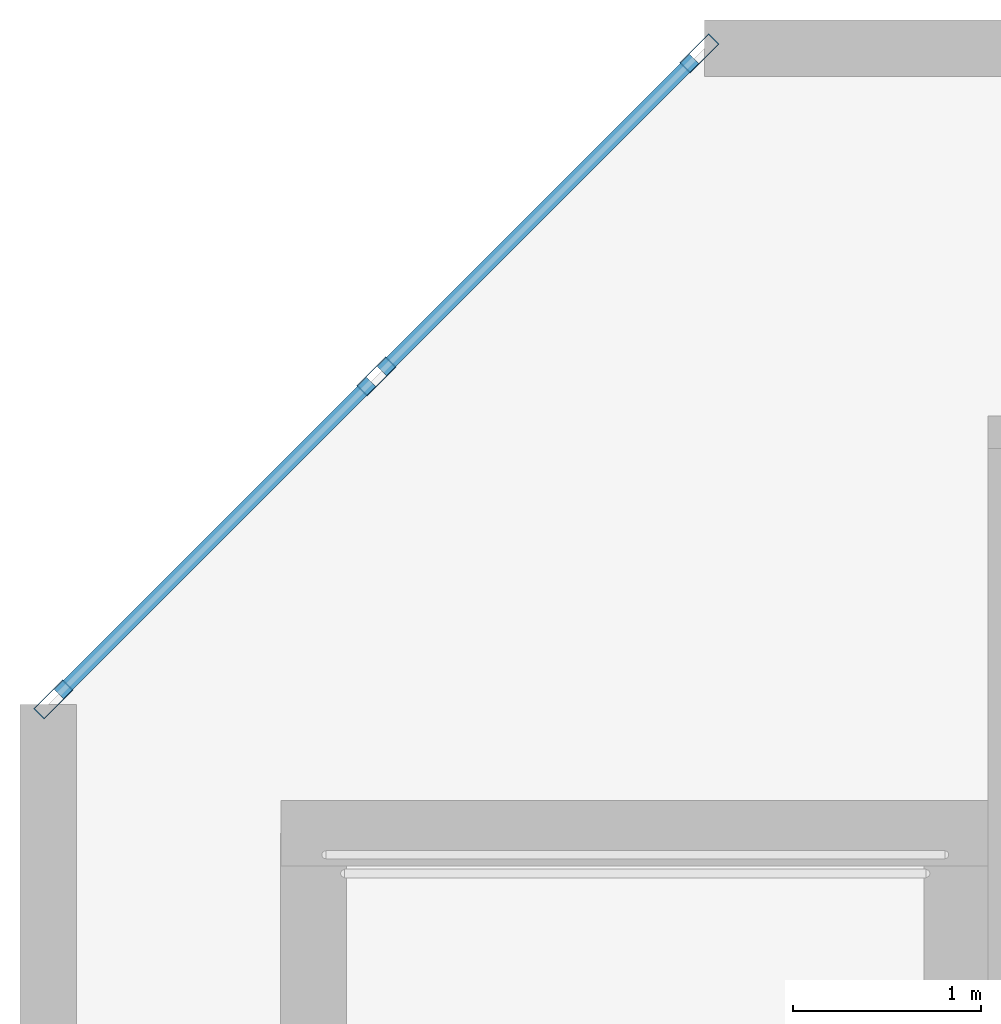
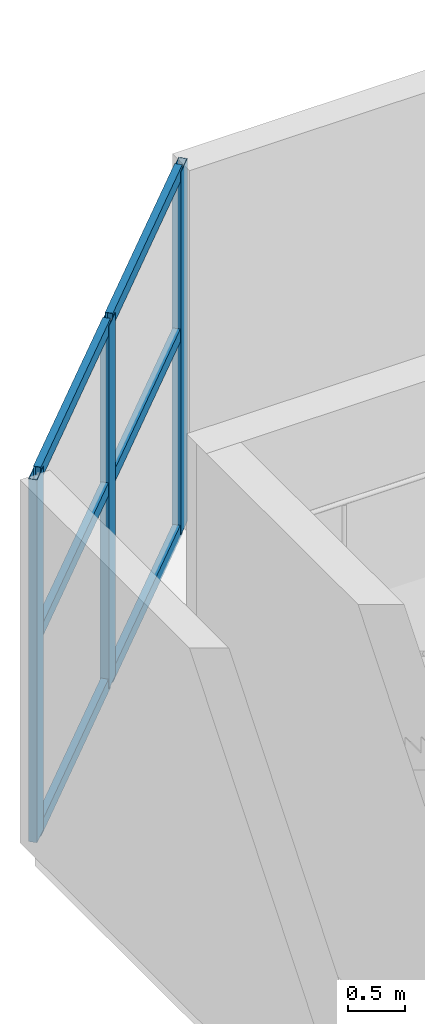
# One storey, part 5 of 20: 9 members, 1 element without a shape of its own.
"""IFC4 building model written with IfcOpenShell, lengths in metres."""

from ifc_helpers import new_model, si_unit, direction, frame, origin, origin_2d, place, context, subcontext, project, spatial, hollow_rectangle, extrude, material, layer, layer_set, material_profile, profile_set, type_object, element, aggregate, save


model = new_model("IFC4")

# Units and contexts
model_context = context("Model", 3, precision=1e-05, world=origin(), true_north=direction((0.0, 1.0)))
body_context = subcontext(model_context, "Body", "Model", "MODEL_VIEW")
ifc_project = project(units=[si_unit("LENGTHUNIT", "METRE"), si_unit("AREAUNIT", "SQUARE_METRE"), si_unit("VOLUMEUNIT", "CUBIC_METRE"), si_unit("PLANEANGLEUNIT", "RADIAN"), si_unit("MASSUNIT", "GRAM", prefix="KILO")], contexts=[model_context])

# Site, building, storey
site_placement = place(None, origin())
site = spatial("IfcSite", under=ifc_project, at=site_placement, CompositionType="ELEMENT")
building_placement = place(site_placement, origin())
building = spatial("IfcBuilding", under=site, at=building_placement, Name="Cununo Teusaquillo Station Towers", CompositionType="ELEMENT")
storey_placement = place(building_placement, frame((0.0, 0.0, 9.0)))
storey = spatial("IfcBuildingStorey", under=building, at=storey_placement, Name="L02", CompositionType="ELEMENT", Elevation=9.0)

# Curtain wall, members
ifc_material_1 = material(Name="Ceramic-fritted dark low-E double glazing", Category="glass")
ifc_layer = layer(ifc_material_1, 0.179931640625)
ifc_layer_set = layer_set([ifc_layer], Name="Ceramic-fritted dark low-E double glazing")
curtain_wall_type = type_object("IfcCurtainWallType", Name="CW-SYS-01", PredefinedType="USERDEFINED", material=ifc_layer_set)
curtain_wall_placement = place(storey_placement, origin())
curtain_wall = element("IfcCurtainWall", 1, at=curtain_wall_placement, inside=storey, type_object=curtain_wall_type, Name="L02 Station Podium Corner Curtain Wall 2", ObjectType="FRITTED GLAZING", PredefinedType="USERDEFINED")
ifc_material_2 = material(Name="Anodised dark bronze aluminium EN AW-6063-T6", Category="aluminium")
ifc_material_profile_1 = material_profile(ifc_material_2, hollow_rectangle(XDim=0.080078125, YDim=0.219970703125, WallThickness=0.0048828125, at=origin_2d()), Name="CW-MULL-80x220")
ifc_profile_set_1 = profile_set([ifc_material_profile_1], Name="Anodised dark bronze aluminium EN AW-6063-T6")
member_type_1 = type_object("IfcMemberType", Name="CWM-220", PredefinedType="MULLION", material=ifc_profile_set_1)
member_1_placement = place(storey_placement, frame((0.328369140625, 44.5283203125, 0.0), z_axis=(0.0, 0.0, 1.0), x_axis=(-0.707106781187, 0.707106781187, 0.0)))
member_1 = element("IfcMember", 2, at=member_1_placement, type_object=member_type_1, Name="CW-01 mullion 1", PredefinedType="MULLION", context=body_context, shape_type="SweptSolid", body=[
    extrude(hollow_rectangle(XDim=0.080078125, YDim=0.219970703125, WallThickness=0.0048828125, at=origin_2d()), origin(), (0.0, 0.0, 1.0), 3.885009765625),
])
member_2_placement = place(storey_placement, frame((2.050048828125, 46.25, 0.0), z_axis=(0.0, 0.0, 1.0), x_axis=(-0.707106781187, 0.707106781187, 0.0)))
member_2 = element("IfcMember", 3, at=member_2_placement, type_object=member_type_1, Name="CW-01 mullion 2", PredefinedType="MULLION", context=body_context, shape_type="SweptSolid", body=[
    extrude(hollow_rectangle(XDim=0.080078125, YDim=0.219970703125, WallThickness=0.0048828125, at=origin_2d()), origin(), (0.0, 0.0, 1.0), 3.885009765625),
])
member_3_placement = place(storey_placement, frame((3.771728515625, 47.9716796875, 0.0), z_axis=(0.0, 0.0, 1.0), x_axis=(-0.707106781187, 0.707106781187, 0.0)))
member_3 = element("IfcMember", 4, at=member_3_placement, type_object=member_type_1, Name="CW-01 mullion 3", PredefinedType="MULLION", context=body_context, shape_type="SweptSolid", body=[
    extrude(hollow_rectangle(XDim=0.080078125, YDim=0.219970703125, WallThickness=0.0048828125, at=origin_2d()), origin(), (0.0, 0.0, 1.0), 3.885009765625),
])
ifc_material_3 = material(Name="Anodised dark bronze aluminium EN AW-6063-T6", Category="aluminium")
ifc_material_profile_2 = material_profile(ifc_material_3, hollow_rectangle(XDim=0.070068359375, YDim=0.139892578125, WallThickness=0.00390625, at=origin_2d()), Name="CW-TRAN-70x140")
ifc_profile_set_2 = profile_set([ifc_material_profile_2], Name="Anodised dark bronze aluminium EN AW-6063-T6")
member_type_2 = type_object("IfcMemberType", Name="CWT-140", PredefinedType="USERDEFINED", material=ifc_profile_set_2)
member_4_placement = place(storey_placement, frame((0.356689453125, 44.556640625, 0.034912109375), z_axis=(0.707106781187, 0.707106781187, 0.0), x_axis=(-0.707106781187, 0.707106781187, 0.0)))
member_4 = element("IfcMember", 5, at=member_4_placement, type_object=member_type_2, Name="CW-01 transom 1.1", ObjectType="TRANSOM", PredefinedType="USERDEFINED", context=body_context, shape_type="SweptSolid", body=[
    extrude(hollow_rectangle(XDim=0.070068359375, YDim=0.139892578125, WallThickness=0.00390625, at=origin_2d()), origin(), (0.0, 0.0, 1.0), 2.354736328125),
])
member_5_placement = place(storey_placement, frame((0.356689453125, 44.556640625, 2.136962890625), z_axis=(0.707106781187, 0.707106781187, 0.0), x_axis=(-0.707106781187, 0.707106781187, 0.0)))
member_5 = element("IfcMember", 6, at=member_5_placement, type_object=member_type_2, Name="CW-01 transom 1.2", ObjectType="TRANSOM", PredefinedType="USERDEFINED", context=body_context, shape_type="SweptSolid", body=[
    extrude(hollow_rectangle(XDim=0.070068359375, YDim=0.139892578125, WallThickness=0.00390625, at=origin_2d()), origin(), (0.0, 0.0, 1.0), 2.354736328125),
])
member_6_placement = place(storey_placement, frame((0.356689453125, 44.556640625, 3.85009765625), z_axis=(0.707106781187, 0.707106781187, 0.0), x_axis=(-0.707106781187, 0.707106781187, 0.0)))
member_6 = element("IfcMember", 7, at=member_6_placement, type_object=member_type_2, Name="CW-01 transom 1.3", ObjectType="TRANSOM", PredefinedType="USERDEFINED", context=body_context, shape_type="SweptSolid", body=[
    extrude(hollow_rectangle(XDim=0.070068359375, YDim=0.139892578125, WallThickness=0.00390625, at=origin_2d()), origin(), (0.0, 0.0, 1.0), 2.354736328125),
])
member_7_placement = place(storey_placement, frame((2.078369140625, 46.2783203125, 0.034912109375), z_axis=(0.707106781187, 0.707106781187, 0.0), x_axis=(-0.707106781187, 0.707106781187, 0.0)))
member_7 = element("IfcMember", 8, at=member_7_placement, type_object=member_type_2, Name="CW-01 transom 2.1", ObjectType="TRANSOM", PredefinedType="USERDEFINED", context=body_context, shape_type="SweptSolid", body=[
    extrude(hollow_rectangle(XDim=0.070068359375, YDim=0.139892578125, WallThickness=0.00390625, at=origin_2d()), origin(), (0.0, 0.0, 1.0), 2.354736328125),
])
member_8_placement = place(storey_placement, frame((2.078369140625, 46.2783203125, 2.136962890625), z_axis=(0.707106781187, 0.707106781187, 0.0), x_axis=(-0.707106781187, 0.707106781187, 0.0)))
member_8 = element("IfcMember", 9, at=member_8_placement, type_object=member_type_2, Name="CW-01 transom 2.2", ObjectType="TRANSOM", PredefinedType="USERDEFINED", context=body_context, shape_type="SweptSolid", body=[
    extrude(hollow_rectangle(XDim=0.070068359375, YDim=0.139892578125, WallThickness=0.00390625, at=origin_2d()), origin(), (0.0, 0.0, 1.0), 2.354736328125),
])
member_9_placement = place(storey_placement, frame((2.078369140625, 46.2783203125, 3.85009765625), z_axis=(0.707106781187, 0.707106781187, 0.0), x_axis=(-0.707106781187, 0.707106781187, 0.0)))
member_9 = element("IfcMember", 10, at=member_9_placement, type_object=member_type_2, Name="CW-01 transom 2.3", ObjectType="TRANSOM", PredefinedType="USERDEFINED", context=body_context, shape_type="SweptSolid", body=[
    extrude(hollow_rectangle(XDim=0.070068359375, YDim=0.139892578125, WallThickness=0.00390625, at=origin_2d()), origin(), (0.0, 0.0, 1.0), 2.354736328125),
])
aggregate(curtain_wall, [member_1, member_2, member_3, member_4, member_5, member_6, member_7, member_8, member_9])

save(model, "model.ifc")
